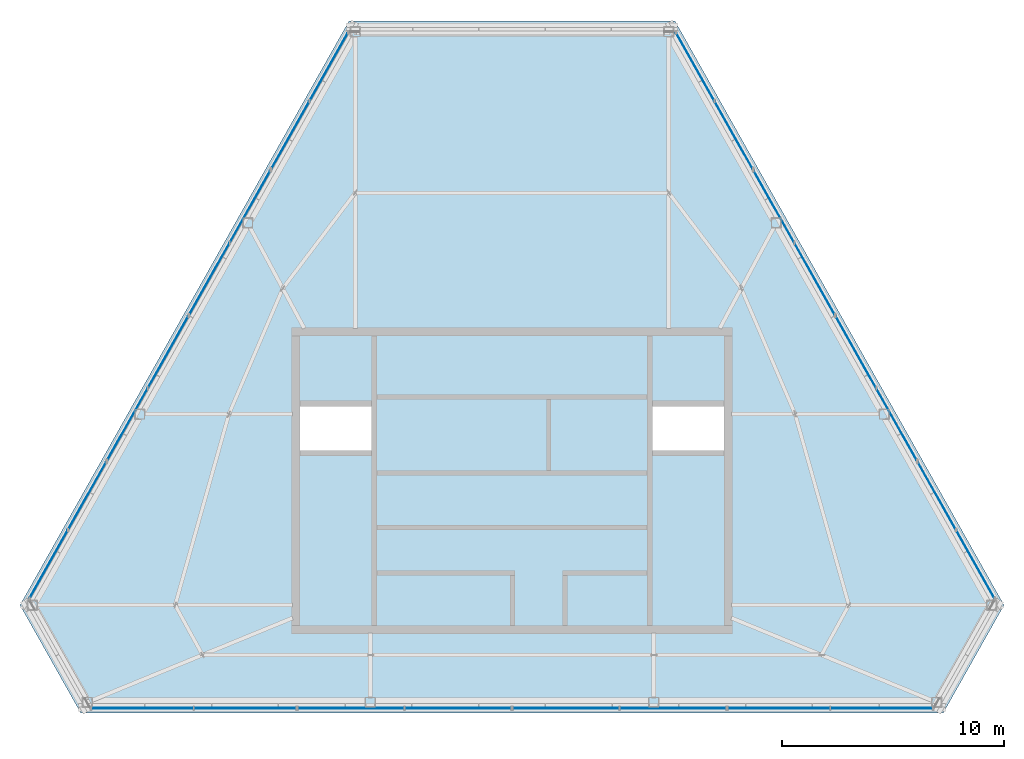
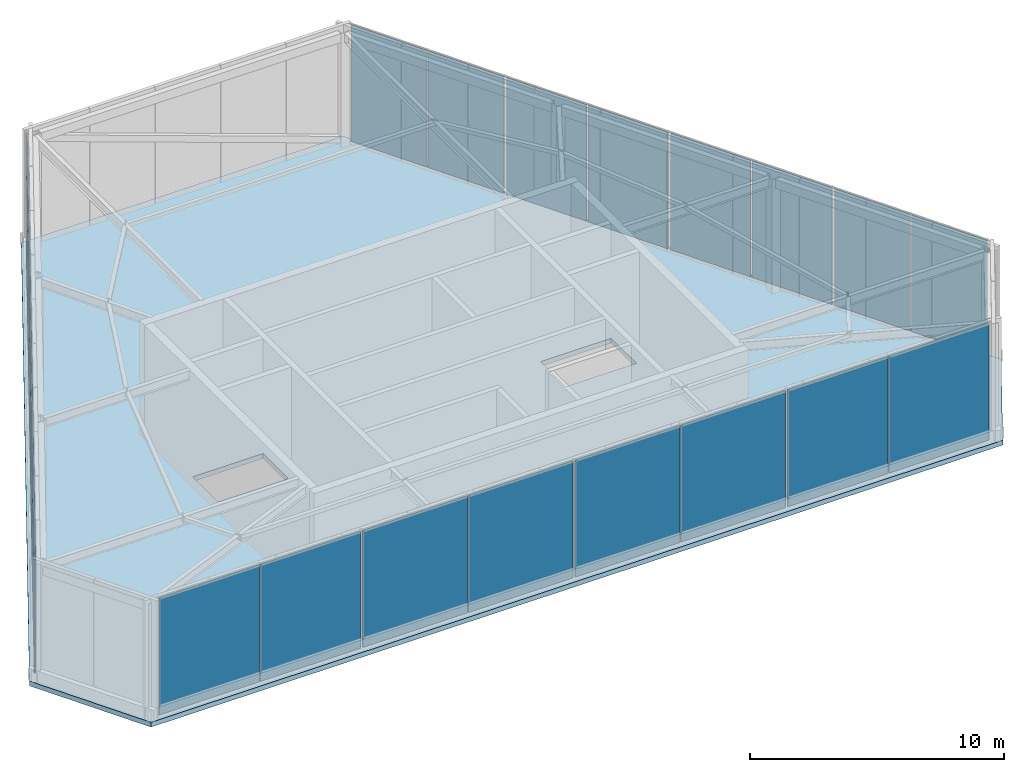
# One storey, part 6 of 12: 24 plates, 1 slab, 12 elements without a shape of their own.
"""IFC4 building model written with IfcOpenShell, lengths in metres."""

import ifcopenshell
import ifcopenshell.guid

model = None  # the IFC model being written
_history = None  # IfcOwnerHistory: only IFC2X3 demands one
_inside = {}  # id of a spatial element -> (the spatial element, [elements in it])
_under = {}  # id of a project, library or spatial element -> (it, [spatial elements below it])
_declared = {}  # id of a project -> (the project, [libraries it declares])
_typed = {}  # id of a type object -> (the type object, [elements of that type])
_made_of = {}  # id of a material, layer set ... -> (it, [elements and type objects made of it])


def new_model(schema):
    """Start an empty IFC model of exactly this schema.

    Asked for "IFC4X3", IfcOpenShell would pick the latest addendum, in which some entities
    have other attributes; the version numbers below select the first issue.
    IFC2X3 requires an IfcOwnerHistory on every rooted entity: one is made here for all.
    """
    global model, _history
    if schema == "IFC4X3":
        model = ifcopenshell.file(schema_version=(4, 3, 0, 0))
    else:
        model = ifcopenshell.file(schema=schema)
    _inside.clear()
    _under.clear()
    _declared.clear()
    _typed.clear()
    _made_of.clear()
    _history = None
    if model.schema == "IFC2X3":
        org = make("IfcOrganization", Name="unknown")
        user = make(
            "IfcPersonAndOrganization",
            ThePerson=make("IfcPerson", FamilyName="unknown"),
            TheOrganization=org,
        )
        app = make(
            "IfcApplication",
            ApplicationDeveloper=org,
            Version="unknown",
            ApplicationFullName="unknown",
            ApplicationIdentifier="unknown",
        )
        _history = make(
            "IfcOwnerHistory",
            OwningUser=user,
            OwningApplication=app,
            ChangeAction="ADDED",
            CreationDate=0,
        )
    return model


def make(cls, **values):
    """One entity of the class cls with the attributes given. An attribute that is None is left unset."""
    return model.create_entity(
        cls, **{name: value for name, value in values.items() if value is not None}
    )


def rooted(cls, **values):
    """An entity with a GlobalId (a new one), such as an element, a storey or a relation."""
    return make(cls, GlobalId=ifcopenshell.guid.new(), OwnerHistory=_history, **values)


def si_unit(unit_type, name, prefix=None):
    """IfcSIUnit, for example si_unit("LENGTHUNIT", "METRE", prefix="MILLI")."""
    return make("IfcSIUnit", UnitType=unit_type, Prefix=prefix, Name=name)


def assignment(units):
    """IfcUnitAssignment: the units of a project."""
    return None if units is None else make("IfcUnitAssignment", Units=units)


def point(xyz):
    """IfcCartesianPoint."""
    return None if xyz is None else make("IfcCartesianPoint", Coordinates=xyz)


def direction(xyz):
    """IfcDirection."""
    return None if xyz is None else make("IfcDirection", DirectionRatios=xyz)


def frame(location, z_axis=None, x_axis=None):
    """IfcAxis2Placement3D, a coordinate frame: its origin and axes. An axis left out is left unset."""
    return make(
        "IfcAxis2Placement3D",
        Location=point(location),
        Axis=direction(z_axis),
        RefDirection=direction(x_axis),
    )


def frame_2d(location, x_axis=None):
    """IfcAxis2Placement2D, a coordinate frame in the plane: its origin and x axis."""
    return make(
        "IfcAxis2Placement2D", Location=point(location), RefDirection=direction(x_axis)
    )


def origin():
    """The frame at (0, 0, 0) with its axes left unset."""
    return frame((0.0, 0.0, 0.0))


def origin_2d():
    """The frame at (0, 0) in the plane with its x axis left unset."""
    return frame_2d((0.0, 0.0))


def place(relative_to, where):
    """IfcLocalPlacement: puts the frame where relative to a parent placement (None: the world)."""
    return make(
        "IfcLocalPlacement", PlacementRelTo=relative_to, RelativePlacement=where
    )


def context(
    kind, dimensions, precision=None, world=None, true_north=None, identifier=None
):
    """IfcGeometricRepresentationContext, for example the 3D "Model" context."""
    return make(
        "IfcGeometricRepresentationContext",
        ContextIdentifier=identifier,
        ContextType=kind,
        CoordinateSpaceDimension=dimensions,
        Precision=precision,
        WorldCoordinateSystem=world,
        TrueNorth=true_north,
    )


def subcontext(parent, identifier, kind, view, scale=None):
    """IfcGeometricRepresentationSubContext, for example "Body" below "Model"."""
    return make(
        "IfcGeometricRepresentationSubContext",
        ContextIdentifier=identifier,
        ContextType=kind,
        ParentContext=parent,
        TargetScale=scale,
        TargetView=view,
    )


def project(units=None, contexts=None):
    """IfcProject with its units and contexts."""
    return rooted(
        "IfcProject",
        Name="project",
        RepresentationContexts=contexts,
        UnitsInContext=assignment(units),
    )


def spatial(cls, under=None, at=None, **own):
    """A site, building, storey or space (cls), placed at a placement, below another one or the project."""
    s = rooted(cls, ObjectPlacement=at, **own)
    if under is not None:
        _under.setdefault(under.id(), (under, []))[1].append(s)
    return s


def polyline(points):
    """IfcPolyline through the points."""
    return make("IfcPolyline", Points=[point(p) for p in points])


def profile(cls, at=None, kind="AREA", **sizes):
    """A parametric profile (cls). Its sizes go by their IFC names, for example OverallWidth=200.0."""
    return make(cls, ProfileType=kind, Position=at, **sizes)


def rectangle(**sizes):
    """IfcRectangleProfileDef."""
    return profile("IfcRectangleProfileDef", **sizes)


def outline(outer, holes=None, kind="AREA"):
    """IfcArbitraryClosedProfileDef: a profile drawn as a closed curve; with holes, ...WithVoids."""
    if holes is None:
        return make("IfcArbitraryClosedProfileDef", ProfileType=kind, OuterCurve=outer)
    return make(
        "IfcArbitraryProfileDefWithVoids",
        ProfileType=kind,
        OuterCurve=outer,
        InnerCurves=holes,
    )


def extrude(swept, where, along, depth):
    """IfcExtrudedAreaSolid: the profile swept, set in the frame where, extruded along a direction by depth."""
    return make(
        "IfcExtrudedAreaSolid",
        SweptArea=swept,
        Position=where,
        ExtrudedDirection=direction(along),
        Depth=depth,
    )


def shape(context_of_items, identifier, shape_type, items):
    """IfcShapeRepresentation: the items that make up one representation, for example the "Body"."""
    return make(
        "IfcShapeRepresentation",
        ContextOfItems=context_of_items,
        RepresentationIdentifier=identifier,
        RepresentationType=shape_type,
        Items=items,
    )


def material(Name=None, Category=None):
    """IfcMaterial."""
    return make("IfcMaterial", Name=Name, Category=Category)


def layer(
    of_material, thickness, ventilated=None, Name=None, Category=None, Priority=None
):
    """IfcMaterialLayer: one layer of a wall or slab, of a material (None: an air gap)."""
    return make(
        "IfcMaterialLayer",
        Material=of_material,
        LayerThickness=thickness,
        IsVentilated=ventilated,
        Name=Name,
        Category=Category,
        Priority=Priority,
    )


def layer_set(layers, Name=None):
    """IfcMaterialLayerSet."""
    return make("IfcMaterialLayerSet", MaterialLayers=layers, LayerSetName=Name)


def made_of(thing, what):
    """Note that an element or type object is made of a material, layer set ...; save() writes the relation."""
    if what is not None:
        _made_of.setdefault(what.id(), (what, []))[1].append(thing)
    return thing


def type_object(cls, material=None, **own):
    """A type object (cls), such as IfcWallType, which elements share."""
    return made_of(rooted(cls, **own), material)


def element(
    cls,
    number,
    at=None,
    inside=None,
    cuts=None,
    type_object=None,
    material=None,
    context=None,
    identifier="Body",
    shape_type=None,
    held_by="IfcProductDefinitionShape",
    body=None,
    shapes=None,
    **own,
):
    """One element of the class cls, such as IfcWall. Its Tag is "e" and its number.

    at: its placement. inside: the storey or other place that contains it. cuts: it is an
    opening in that element (IfcRelVoidsElement). A single representation is given by context,
    identifier, shape_type and body (its items); several are given by shapes. held_by: the class
    of the entity that holds the representations. save() writes the other relations.
    """
    e = rooted(cls, Tag="e%d" % number, ObjectPlacement=at, **own)
    if body is not None:
        shapes = [shape(context, identifier, shape_type, body)]
    if shapes is not None:
        e.Representation = make(held_by, Representations=shapes)
    if inside is not None:
        _inside.setdefault(inside.id(), (inside, []))[1].append(e)
    if cuts is not None:
        rooted(
            "IfcRelVoidsElement", RelatingBuildingElement=cuts, RelatedOpeningElement=e
        )
    if type_object is not None:
        _typed.setdefault(type_object.id(), (type_object, []))[1].append(e)
    return made_of(e, material)


def aggregate(whole, parts):
    """IfcRelAggregates: a whole, such as a stair, and the parts it consists of."""
    return rooted("IfcRelAggregates", RelatingObject=whole, RelatedObjects=parts)


def save(model, path):
    """Write the relations noted so far, then the file.

    IfcRelAggregates (storeys below a building ...), IfcRelContainedInSpatialStructure (elements
    in a storey), IfcRelDefinesByType, IfcRelAssociatesMaterial and IfcRelDeclares: one each for
    every whole, place, type object, material and project.
    """
    for whole, parts in _under.values():
        aggregate(whole, parts)
    for where, things in _inside.values():
        rooted(
            "IfcRelContainedInSpatialStructure",
            RelatedElements=things,
            RelatingStructure=where,
        )
    for kind, things in _typed.values():
        rooted("IfcRelDefinesByType", RelatedObjects=things, RelatingType=kind)
    for what, things in _made_of.values():
        rooted("IfcRelAssociatesMaterial", RelatedObjects=things, RelatingMaterial=what)
    for by, libraries in _declared.values():
        rooted("IfcRelDeclares", RelatingContext=by, RelatedDefinitions=libraries)
    model.write(path)


model = new_model("IFC4")

# Units and contexts
model_context = context("Model", 3, precision=1e-05, world=origin(), true_north=direction((0.0, 1.0)))
body_context = subcontext(model_context, "Body", "Model", "MODEL_VIEW")
ifc_project = project(units=[si_unit("LENGTHUNIT", "METRE"), si_unit("AREAUNIT", "SQUARE_METRE"), si_unit("VOLUMEUNIT", "CUBIC_METRE"), si_unit("PLANEANGLEUNIT", "RADIAN"), si_unit("MASSUNIT", "GRAM", prefix="KILO")], contexts=[model_context])

# Site, building, storey
site_placement = place(None, origin())
site = spatial("IfcSite", under=ifc_project, at=site_placement, CompositionType="ELEMENT")
building_placement = place(site_placement, origin())
building = spatial("IfcBuilding", under=site, at=building_placement, Name="Kavelnor Concourse Tower", CompositionType="ELEMENT")
storey_placement = place(building_placement, frame((0.0, 0.0, 315.699951171875)))
storey = spatial("IfcBuildingStorey", under=building, at=storey_placement, Name="L79", CompositionType="ELEMENT", Elevation=315.699951171875)

# Curtain wall, plates
ifc_material_1 = material(Name="Anodised aluminium 6063-T6", Category="aluminium")
ifc_layer_1 = layer(ifc_material_1, 0.1650390625, Name="Anodised aluminium 6063-T6")
ifc_layer_set_1 = layer_set([ifc_layer_1], Name="Anodised aluminium 6063-T6")
curtain_wall_type = type_object("IfcCurtainWallType", Name="CW-CROWN-SCREEN", PredefinedType="NOTDEFINED", material=ifc_layer_set_1)
curtain_wall_1_placement = place(storey_placement, origin())
curtain_wall_1 = element("IfcCurtainWall", 1, at=curtain_wall_1_placement, inside=storey, type_object=curtain_wall_type, Name="L79 Crown Fritted Screen Curtain Wall E1-S1", PredefinedType="NOTDEFINED")
ifc_material_2 = material(Name="Double low-E argon insulated glazing", Category="glass")
ifc_layer_2 = layer(ifc_material_2, 0.028076171875, Name="Double low-E argon insulated glazing")
ifc_layer_set_2 = layer_set([ifc_layer_2], Name="Double low-E argon insulated glazing")
plate_type = type_object("IfcPlateType", Name="CW-CROWN-SCREEN-PANEL", PredefinedType="CURTAIN_PANEL", material=ifc_layer_set_2)
plate_1_placement = place(storey_placement, frame((29.766357421875, 34.70263671875, 0.06005859375), z_axis=(0.0, 0.0, 1.0), x_axis=(-0.490751690644, -0.871299476719, 0.0)))
plate_1 = element("IfcPlate", 2, at=plate_1_placement, type_object=plate_type, Name="L79 Crown Fritted Screen Curtain Wall E1-S1 Vision Panel 1", PredefinedType="CURTAIN_PANEL", context=body_context, shape_type="SweptSolid", body=[
    extrude(rectangle(XDim=3.4716796875, YDim=0.028076171875, at=origin_2d()), origin(), (0.0, 0.0, 1.0), 5.610107421875),
])
plate_2_placement = place(storey_placement, frame((28.0361328125, 31.630615234375, 0.06005859375), z_axis=(0.0, 0.0, 1.0), x_axis=(-0.490751690644, -0.871299476719, 0.0)))
plate_2 = element("IfcPlate", 3, at=plate_2_placement, type_object=plate_type, Name="L79 Crown Fritted Screen Curtain Wall E1-S1 Vision Panel 2", PredefinedType="CURTAIN_PANEL", context=body_context, shape_type="SweptSolid", body=[
    extrude(rectangle(XDim=3.4716796875, YDim=0.028076171875, at=origin_2d()), origin(), (0.0, 0.0, 1.0), 5.610107421875),
])
aggregate(curtain_wall_1, [plate_1, plate_2])

curtain_wall_2_placement = place(storey_placement, origin())
curtain_wall_2 = element("IfcCurtainWall", 4, at=curtain_wall_2_placement, inside=storey, type_object=curtain_wall_type, Name="L79 Crown Fritted Screen Curtain Wall E1-S2", PredefinedType="NOTDEFINED")
plate_3_placement = place(storey_placement, frame((26.2275390625, 28.41943359375, 0.06005859375), z_axis=(0.0, 0.0, 1.0), x_axis=(-0.490751690644, -0.871299476719, 0.0)))
plate_3 = element("IfcPlate", 5, at=plate_3_placement, type_object=plate_type, Name="L79 Crown Fritted Screen Curtain Wall E1-S2 Vision Panel 1", PredefinedType="CURTAIN_PANEL", context=body_context, shape_type="SweptSolid", body=[
    extrude(rectangle(XDim=3.671630859375, YDim=0.028076171875, at=origin_2d()), origin(), (0.0, 0.0, 1.0), 5.610107421875),
])
plate_4_placement = place(storey_placement, frame((24.399169921875, 25.173095703125, 0.06005859375), z_axis=(0.0, 0.0, 1.0), x_axis=(-0.490751690644, -0.871299476719, 0.0)))
plate_4 = element("IfcPlate", 6, at=plate_4_placement, type_object=plate_type, Name="L79 Crown Fritted Screen Curtain Wall E1-S2 Vision Panel 2", PredefinedType="CURTAIN_PANEL", context=body_context, shape_type="SweptSolid", body=[
    extrude(rectangle(XDim=3.671630859375, YDim=0.028076171875, at=origin_2d()), origin(), (0.0, 0.0, 1.0), 5.610107421875),
])
aggregate(curtain_wall_2, [plate_3, plate_4])

curtain_wall_3_placement = place(storey_placement, origin())
curtain_wall_3 = element("IfcCurtainWall", 7, at=curtain_wall_3_placement, inside=storey, type_object=curtain_wall_type, Name="L79 Crown Fritted Screen Curtain Wall E1-S3", PredefinedType="NOTDEFINED")
plate_5_placement = place(storey_placement, frame((22.54150390625, 21.874755859375, 0.06005859375), z_axis=(0.0, 0.0, 1.0), x_axis=(-0.490751690644, -0.871299476719, 0.0)))
plate_5 = element("IfcPlate", 8, at=plate_5_placement, type_object=plate_type, Name="L79 Crown Fritted Screen Curtain Wall E1-S3 Vision Panel 1", PredefinedType="CURTAIN_PANEL", context=body_context, shape_type="SweptSolid", body=[
    extrude(rectangle(XDim=3.671630859375, YDim=0.028076171875, at=origin_2d()), origin(), (0.0, 0.0, 1.0), 5.610107421875),
])
plate_6_placement = place(storey_placement, frame((20.713134765625, 18.62841796875, 0.06005859375), z_axis=(0.0, 0.0, 1.0), x_axis=(-0.490751690644, -0.871299476719, 0.0)))
plate_6 = element("IfcPlate", 9, at=plate_6_placement, type_object=plate_type, Name="L79 Crown Fritted Screen Curtain Wall E1-S3 Vision Panel 2", PredefinedType="CURTAIN_PANEL", context=body_context, shape_type="SweptSolid", body=[
    extrude(rectangle(XDim=3.671630859375, YDim=0.028076171875, at=origin_2d()), origin(), (0.0, 0.0, 1.0), 5.610107421875),
])
aggregate(curtain_wall_3, [plate_5, plate_6])

curtain_wall_4_placement = place(storey_placement, origin())
curtain_wall_4 = element("IfcCurtainWall", 10, at=curtain_wall_4_placement, inside=storey, type_object=curtain_wall_type, Name="L79 Crown Fritted Screen Curtain Wall E1-S4", PredefinedType="NOTDEFINED")
plate_7_placement = place(storey_placement, frame((18.904296875, 15.4169921875, 0.06005859375), z_axis=(0.0, 0.0, 1.0), x_axis=(-0.490751690644, -0.871299476719, 0.0)))
plate_7 = element("IfcPlate", 11, at=plate_7_placement, type_object=plate_type, Name="L79 Crown Fritted Screen Curtain Wall E1-S4 Vision Panel 1", PredefinedType="CURTAIN_PANEL", context=body_context, shape_type="SweptSolid", body=[
    extrude(rectangle(XDim=3.4716796875, YDim=0.028076171875, at=origin_2d()), origin(), (0.0, 0.0, 1.0), 5.610107421875),
])
plate_8_placement = place(storey_placement, frame((17.17431640625, 12.34521484375, 0.06005859375), z_axis=(0.0, 0.0, 1.0), x_axis=(-0.490751690644, -0.871299476719, 0.0)))
plate_8 = element("IfcPlate", 12, at=plate_8_placement, type_object=plate_type, Name="L79 Crown Fritted Screen Curtain Wall E1-S4 Vision Panel 2", PredefinedType="CURTAIN_PANEL", context=body_context, shape_type="SweptSolid", body=[
    extrude(rectangle(XDim=3.4716796875, YDim=0.028076171875, at=origin_2d()), origin(), (0.0, 0.0, 1.0), 5.610107421875),
])
aggregate(curtain_wall_4, [plate_7, plate_8])

curtain_wall_5_placement = place(storey_placement, origin())
curtain_wall_5 = element("IfcCurtainWall", 13, at=curtain_wall_5_placement, inside=storey, type_object=curtain_wall_type, Name="L79 Crown Fritted Screen Curtain Wall E3-S1", PredefinedType="NOTDEFINED")
plate_9_placement = place(storey_placement, frame((21.392333984375, 5.875, 0.06005859375), z_axis=(0.0, 0.0, 1.0), x_axis=(1.0, 0.0, 0.0)))
plate_9 = element("IfcPlate", 14, at=plate_9_placement, type_object=plate_type, Name="L79 Crown Fritted Screen Curtain Wall E3-S1 Vision Panel 1", PredefinedType="CURTAIN_PANEL", context=body_context, shape_type="SweptSolid", body=[
    extrude(rectangle(XDim=4.551025390625, YDim=0.028076171875, at=origin_2d()), origin(), (0.0, 0.0, 1.0), 5.610107421875),
])
plate_10_placement = place(storey_placement, frame((25.997314453125, 5.875, 0.06005859375), z_axis=(0.0, 0.0, 1.0), x_axis=(1.0, 0.0, 0.0)))
plate_10 = element("IfcPlate", 15, at=plate_10_placement, type_object=plate_type, Name="L79 Crown Fritted Screen Curtain Wall E3-S1 Vision Panel 2", PredefinedType="CURTAIN_PANEL", context=body_context, shape_type="SweptSolid", body=[
    extrude(rectangle(XDim=4.551025390625, YDim=0.028076171875, at=origin_2d()), origin(), (0.0, 0.0, 1.0), 5.610107421875),
])
aggregate(curtain_wall_5, [plate_9, plate_10])

curtain_wall_6_placement = place(storey_placement, origin())
curtain_wall_6 = element("IfcCurtainWall", 16, at=curtain_wall_6_placement, inside=storey, type_object=curtain_wall_type, Name="L79 Crown Fritted Screen Curtain Wall E3-S2", PredefinedType="NOTDEFINED")
plate_11_placement = place(storey_placement, frame((30.762451171875, 5.875, 0.06005859375), z_axis=(0.0, 0.0, 1.0), x_axis=(1.0, 0.0, 0.0)))
plate_11 = element("IfcPlate", 17, at=plate_11_placement, type_object=plate_type, Name="L79 Crown Fritted Screen Curtain Wall E3-S2 Vision Panel 1", PredefinedType="CURTAIN_PANEL", context=body_context, shape_type="SweptSolid", body=[
    extrude(rectangle(XDim=4.7509765625, YDim=0.028076171875, at=origin_2d()), origin(), (0.0, 0.0, 1.0), 5.610107421875),
])
plate_12_placement = place(storey_placement, frame((35.5673828125, 5.875, 0.06005859375), z_axis=(0.0, 0.0, 1.0), x_axis=(1.0, 0.0, 0.0)))
plate_12 = element("IfcPlate", 18, at=plate_12_placement, type_object=plate_type, Name="L79 Crown Fritted Screen Curtain Wall E3-S2 Vision Panel 2", PredefinedType="CURTAIN_PANEL", context=body_context, shape_type="SweptSolid", body=[
    extrude(rectangle(XDim=4.7509765625, YDim=0.028076171875, at=origin_2d()), origin(), (0.0, 0.0, 1.0), 5.610107421875),
])
aggregate(curtain_wall_6, [plate_11, plate_12])

curtain_wall_7_placement = place(storey_placement, origin())
curtain_wall_7 = element("IfcCurtainWall", 19, at=curtain_wall_7_placement, inside=storey, type_object=curtain_wall_type, Name="L79 Crown Fritted Screen Curtain Wall E3-S3", PredefinedType="NOTDEFINED")
plate_13_placement = place(storey_placement, frame((40.4326171875, 5.875, 0.06005859375), z_axis=(0.0, 0.0, 1.0), x_axis=(1.0, 0.0, 0.0)))
plate_13 = element("IfcPlate", 20, at=plate_13_placement, type_object=plate_type, Name="L79 Crown Fritted Screen Curtain Wall E3-S3 Vision Panel 1", PredefinedType="CURTAIN_PANEL", context=body_context, shape_type="SweptSolid", body=[
    extrude(rectangle(XDim=4.7509765625, YDim=0.028076171875, at=origin_2d()), origin(), (0.0, 0.0, 1.0), 5.610107421875),
])
plate_14_placement = place(storey_placement, frame((45.237548828125, 5.875, 0.06005859375), z_axis=(0.0, 0.0, 1.0), x_axis=(1.0, 0.0, 0.0)))
plate_14 = element("IfcPlate", 21, at=plate_14_placement, type_object=plate_type, Name="L79 Crown Fritted Screen Curtain Wall E3-S3 Vision Panel 2", PredefinedType="CURTAIN_PANEL", context=body_context, shape_type="SweptSolid", body=[
    extrude(rectangle(XDim=4.7509765625, YDim=0.028076171875, at=origin_2d()), origin(), (0.0, 0.0, 1.0), 5.610107421875),
])
aggregate(curtain_wall_7, [plate_13, plate_14])

curtain_wall_8_placement = place(storey_placement, origin())
curtain_wall_8 = element("IfcCurtainWall", 22, at=curtain_wall_8_placement, inside=storey, type_object=curtain_wall_type, Name="L79 Crown Fritted Screen Curtain Wall E3-S4", PredefinedType="NOTDEFINED")
plate_15_placement = place(storey_placement, frame((50.002685546875, 5.875, 0.06005859375), z_axis=(0.0, 0.0, 1.0), x_axis=(1.0, 0.0, 0.0)))
plate_15 = element("IfcPlate", 23, at=plate_15_placement, type_object=plate_type, Name="L79 Crown Fritted Screen Curtain Wall E3-S4 Vision Panel 1", PredefinedType="CURTAIN_PANEL", context=body_context, shape_type="SweptSolid", body=[
    extrude(rectangle(XDim=4.551025390625, YDim=0.028076171875, at=origin_2d()), origin(), (0.0, 0.0, 1.0), 5.610107421875),
])
plate_16_placement = place(storey_placement, frame((54.607666015625, 5.875, 0.06005859375), z_axis=(0.0, 0.0, 1.0), x_axis=(1.0, 0.0, 0.0)))
plate_16 = element("IfcPlate", 24, at=plate_16_placement, type_object=plate_type, Name="L79 Crown Fritted Screen Curtain Wall E3-S4 Vision Panel 2", PredefinedType="CURTAIN_PANEL", context=body_context, shape_type="SweptSolid", body=[
    extrude(rectangle(XDim=4.551025390625, YDim=0.028076171875, at=origin_2d()), origin(), (0.0, 0.0, 1.0), 5.610107421875),
])
aggregate(curtain_wall_8, [plate_15, plate_16])

curtain_wall_9_placement = place(storey_placement, origin())
curtain_wall_9 = element("IfcCurtainWall", 25, at=curtain_wall_9_placement, inside=storey, type_object=curtain_wall_type, Name="L79 Crown Fritted Screen Curtain Wall E5-S1", PredefinedType="NOTDEFINED")
plate_17_placement = place(storey_placement, frame((58.82568359375, 12.34521484375, 0.06005859375), z_axis=(0.0, 0.0, 1.0), x_axis=(-0.490751690644, 0.871299476719, 0.0)))
plate_17 = element("IfcPlate", 26, at=plate_17_placement, type_object=plate_type, Name="L79 Crown Fritted Screen Curtain Wall E5-S1 Vision Panel 1", PredefinedType="CURTAIN_PANEL", context=body_context, shape_type="SweptSolid", body=[
    extrude(rectangle(XDim=3.4716796875, YDim=0.028076171875, at=origin_2d()), origin(), (0.0, 0.0, 1.0), 5.610107421875),
])
plate_18_placement = place(storey_placement, frame((57.095703125, 15.4169921875, 0.06005859375), z_axis=(0.0, 0.0, 1.0), x_axis=(-0.490751690644, 0.871299476719, 0.0)))
plate_18 = element("IfcPlate", 27, at=plate_18_placement, type_object=plate_type, Name="L79 Crown Fritted Screen Curtain Wall E5-S1 Vision Panel 2", PredefinedType="CURTAIN_PANEL", context=body_context, shape_type="SweptSolid", body=[
    extrude(rectangle(XDim=3.4716796875, YDim=0.028076171875, at=origin_2d()), origin(), (0.0, 0.0, 1.0), 5.610107421875),
])
aggregate(curtain_wall_9, [plate_17, plate_18])

curtain_wall_10_placement = place(storey_placement, origin())
curtain_wall_10 = element("IfcCurtainWall", 28, at=curtain_wall_10_placement, inside=storey, type_object=curtain_wall_type, Name="L79 Crown Fritted Screen Curtain Wall E5-S2", PredefinedType="NOTDEFINED")
plate_19_placement = place(storey_placement, frame((55.286865234375, 18.62841796875, 0.06005859375), z_axis=(0.0, 0.0, 1.0), x_axis=(-0.490751690644, 0.871299476719, 0.0)))
plate_19 = element("IfcPlate", 29, at=plate_19_placement, type_object=plate_type, Name="L79 Crown Fritted Screen Curtain Wall E5-S2 Vision Panel 1", PredefinedType="CURTAIN_PANEL", context=body_context, shape_type="SweptSolid", body=[
    extrude(rectangle(XDim=3.671630859375, YDim=0.028076171875, at=origin_2d()), origin(), (0.0, 0.0, 1.0), 5.610107421875),
])
plate_20_placement = place(storey_placement, frame((53.45849609375, 21.874755859375, 0.06005859375), z_axis=(0.0, 0.0, 1.0), x_axis=(-0.490751690644, 0.871299476719, 0.0)))
plate_20 = element("IfcPlate", 30, at=plate_20_placement, type_object=plate_type, Name="L79 Crown Fritted Screen Curtain Wall E5-S2 Vision Panel 2", PredefinedType="CURTAIN_PANEL", context=body_context, shape_type="SweptSolid", body=[
    extrude(rectangle(XDim=3.671630859375, YDim=0.028076171875, at=origin_2d()), origin(), (0.0, 0.0, 1.0), 5.610107421875),
])
aggregate(curtain_wall_10, [plate_19, plate_20])

curtain_wall_11_placement = place(storey_placement, origin())
curtain_wall_11 = element("IfcCurtainWall", 31, at=curtain_wall_11_placement, inside=storey, type_object=curtain_wall_type, Name="L79 Crown Fritted Screen Curtain Wall E5-S3", PredefinedType="NOTDEFINED")
plate_21_placement = place(storey_placement, frame((51.600830078125, 25.173095703125, 0.06005859375), z_axis=(0.0, 0.0, 1.0), x_axis=(-0.490751690644, 0.871299476719, 0.0)))
plate_21 = element("IfcPlate", 32, at=plate_21_placement, type_object=plate_type, Name="L79 Crown Fritted Screen Curtain Wall E5-S3 Vision Panel 1", PredefinedType="CURTAIN_PANEL", context=body_context, shape_type="SweptSolid", body=[
    extrude(rectangle(XDim=3.671630859375, YDim=0.028076171875, at=origin_2d()), origin(), (0.0, 0.0, 1.0), 5.610107421875),
])
plate_22_placement = place(storey_placement, frame((49.7724609375, 28.41943359375, 0.06005859375), z_axis=(0.0, 0.0, 1.0), x_axis=(-0.490751690644, 0.871299476719, 0.0)))
plate_22 = element("IfcPlate", 33, at=plate_22_placement, type_object=plate_type, Name="L79 Crown Fritted Screen Curtain Wall E5-S3 Vision Panel 2", PredefinedType="CURTAIN_PANEL", context=body_context, shape_type="SweptSolid", body=[
    extrude(rectangle(XDim=3.671630859375, YDim=0.028076171875, at=origin_2d()), origin(), (0.0, 0.0, 1.0), 5.610107421875),
])
aggregate(curtain_wall_11, [plate_21, plate_22])

curtain_wall_12_placement = place(storey_placement, origin())
curtain_wall_12 = element("IfcCurtainWall", 34, at=curtain_wall_12_placement, inside=storey, type_object=curtain_wall_type, Name="L79 Crown Fritted Screen Curtain Wall E5-S4", PredefinedType="NOTDEFINED")
plate_23_placement = place(storey_placement, frame((47.9638671875, 31.630615234375, 0.06005859375), z_axis=(0.0, 0.0, 1.0), x_axis=(-0.490751690644, 0.871299476719, 0.0)))
plate_23 = element("IfcPlate", 35, at=plate_23_placement, type_object=plate_type, Name="L79 Crown Fritted Screen Curtain Wall E5-S4 Vision Panel 1", PredefinedType="CURTAIN_PANEL", context=body_context, shape_type="SweptSolid", body=[
    extrude(rectangle(XDim=3.4716796875, YDim=0.028076171875, at=origin_2d()), origin(), (0.0, 0.0, 1.0), 5.610107421875),
])
plate_24_placement = place(storey_placement, frame((46.233642578125, 34.70263671875, 0.06005859375), z_axis=(0.0, 0.0, 1.0), x_axis=(-0.490751690644, 0.871299476719, 0.0)))
plate_24 = element("IfcPlate", 36, at=plate_24_placement, type_object=plate_type, Name="L79 Crown Fritted Screen Curtain Wall E5-S4 Vision Panel 2", PredefinedType="CURTAIN_PANEL", context=body_context, shape_type="SweptSolid", body=[
    extrude(rectangle(XDim=3.4716796875, YDim=0.028076171875, at=origin_2d()), origin(), (0.0, 0.0, 1.0), 5.610107421875),
])
aggregate(curtain_wall_12, [plate_23, plate_24])

# Slab
ifc_material_3 = material(Name="Concrete C40/50", Category="concrete")
ifc_layer_3 = layer(ifc_material_3, 0.22998046875, Name="Concrete C40/50")
ifc_layer_set_3 = layer_set([ifc_layer_3], Name="Concrete C40/50")
slab_type = type_object("IfcSlabType", Name="SLB-CROWN-CAP-ROOF-230", PredefinedType="ROOF", material=ifc_layer_set_3)
slab_placement = place(storey_placement, frame((0.0, 0.0, -0.22998046875)))
element("IfcSlab", 37, at=slab_placement, inside=storey, type_object=slab_type, Name="L79 Crown Tier Roof Deck Slab", PredefinedType="ROOF", context=body_context, shape_type="SweptSolid", body=[
    extrude(outline(polyline([(45.32958984375, 36.756103515625), (30.67041015625, 36.756103515625), (15.88671875, 10.507568359375), (18.619873046875, 5.655029296875), (57.380126953125, 5.655029296875), (60.11328125, 10.507568359375), (45.32958984375, 36.756103515625)]), holes=[polyline([(28.47998046875, 17.4599609375), (31.679931640625, 17.4599609375), (31.679931640625, 19.43994140625), (28.47998046875, 19.43994140625), (28.47998046875, 17.4599609375)]), polyline([(44.320068359375, 17.4599609375), (47.52001953125, 17.4599609375), (47.52001953125, 19.43994140625), (44.320068359375, 19.43994140625), (44.320068359375, 17.4599609375)])]), origin(), (0.0, 0.0, 1.0), 0.22998046875),
])

save(model, "model.ifc")
